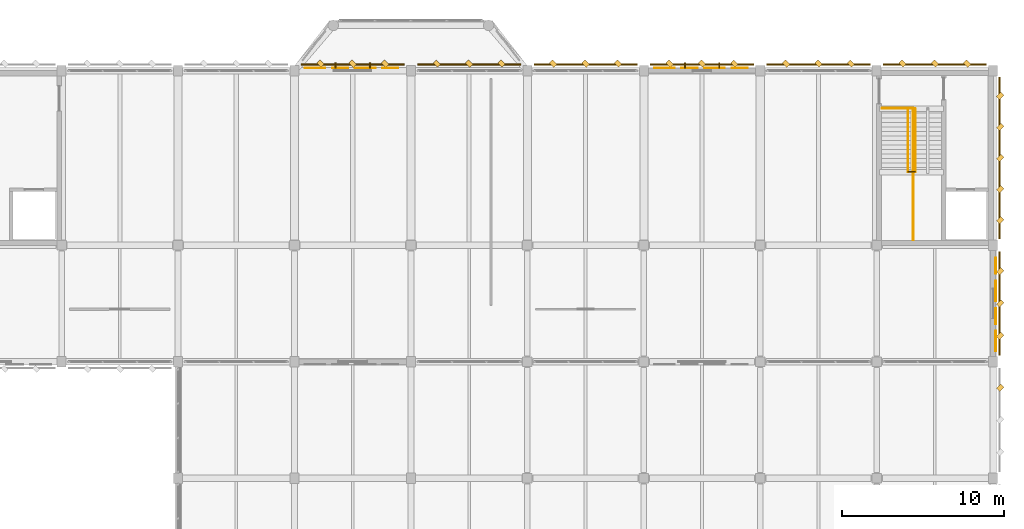
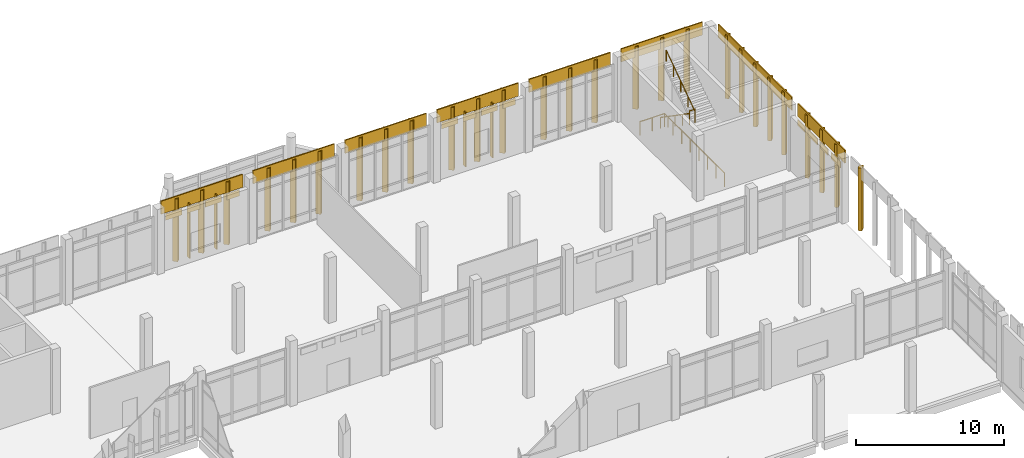
# One storey, part 180 of 180: 51 coverings, 4 railings.
"""IFC4 building model written with IfcOpenShell, lengths in metres."""

from ifc_helpers import new_model, si_unit, direction, frame, origin, origin_2d, place, context, subcontext, project, spatial, rectangle, circle, extrude, material, layer, layer_set, type_object, element, save


model = new_model("IFC4")

# Units and contexts
model_context = context("Model", 3, precision=1e-05, world=origin(), true_north=direction((0.0, 1.0)))
body_context = subcontext(model_context, "Body", "Model", "MODEL_VIEW")
ifc_project = project(units=[si_unit("LENGTHUNIT", "METRE"), si_unit("AREAUNIT", "SQUARE_METRE"), si_unit("VOLUMEUNIT", "CUBIC_METRE"), si_unit("PLANEANGLEUNIT", "RADIAN"), si_unit("MASSUNIT", "GRAM", prefix="KILO")], contexts=[model_context])

# Site, building, storey
site_placement = place(None, origin())
site = spatial("IfcSite", under=ifc_project, at=site_placement, CompositionType="ELEMENT")
building_placement = place(site_placement, origin())
building = spatial("IfcBuilding", under=site, at=building_placement, Name="Lusvemor Sports Hall", CompositionType="ELEMENT")
storey_placement = place(building_placement, frame((0.0, 0.0, 5.39990234375)))
storey = spatial("IfcBuildingStorey", under=building, at=storey_placement, Name="L01", CompositionType="ELEMENT", Elevation=5.39990234375)

# Coverings
ifc_material_1 = material(Name="Emerald polychrome glazed ceramic cladding on Concrete C40/50 backing", Category="concrete")
ifc_layer_1 = layer(ifc_material_1, 0.0458984375)
ifc_layer_set_1 = layer_set([ifc_layer_1], Name="Emerald polychrome glazed ceramic cladding on Concrete C40/50 backing")
covering_type_1 = type_object("IfcCoveringType", Name="CLAD_WAVE_EMERALD", PredefinedType="CLADDING", material=ifc_layer_set_1)
for number, where, z_axis, x_axis, name in (
    (1, (127.27490234375, 115.365478515625, 3.92529296875), (0.0, 0.0, 1.0), (1.0, 0.0, 0.0), "Art Nouveau Patterned Cladding PS-EW-L01-N-1-13-1"),
    (2, (130.375, 115.365478515625, 3.92529296875), (0.0, 0.0, 1.0), (1.0, 0.0, 0.0), "Art Nouveau Patterned Cladding PS-EW-L01-N-1-13-3"),
    (3, (148.875, 115.365478515625, 3.92529296875), (0.0, 0.0, 1.0), (1.0, 0.0, 0.0), "Art Nouveau Patterned Cladding PS-EW-L01-N-1-16-1"),
    (4, (151.97509765625, 115.365478515625, 3.92529296875), (0.0, 0.0, 1.0), (1.0, 0.0, 0.0), "Art Nouveau Patterned Cladding PS-EW-L01-N-1-16-3"),
):
    element("IfcCovering", number, at=place(storey_placement, frame(where, z_axis=z_axis, x_axis=x_axis)), inside=storey, type_object=covering_type_1, Name=name, PredefinedType="CLADDING", context=body_context, shape_type="SweptSolid", body=[
        extrude(rectangle(XDim=1.27099609375, YDim=0.0458984375, at=origin_2d()), origin(), (0.0, 0.0, 1.0), 0.510009765625),
    ])
for number, where, z_axis, x_axis, name in (
    (5, (169.365478515625, 98.47509765625, 3.92529296875), (0.0, 0.0, 1.0), (1.0, 0.0, 0.0), "Art Nouveau Patterned Cladding PS-EW-L01-E-2-0-1"),
    (6, (169.365478515625, 101.574951171875, 3.92529296875), (0.0, 0.0, 1.0), (1.0, 0.0, 0.0), "Art Nouveau Patterned Cladding PS-EW-L01-E-2-0-3"),
):
    element("IfcCovering", number, at=place(storey_placement, frame(where, z_axis=z_axis, x_axis=x_axis)), inside=storey, type_object=covering_type_1, Name=name, PredefinedType="CLADDING", context=body_context, shape_type="SweptSolid", body=[
        extrude(rectangle(XDim=0.0458984375, YDim=1.27099609375, at=origin_2d()), origin(), (0.0, 0.0, 1.0), 0.510009765625),
    ])
for number, where, z_axis, x_axis, name in (
    (7, (169.639892578125, 100.800048828125, 0.10009765625), (0.0, 0.0, 1.0), (0.707106781187, 0.707106781187, 0.0), "Patterned Diamond Cladding Rib 464"),
    (8, (169.639892578125, 107.8798828125, 0.10009765625), (0.0, 0.0, 1.0), (0.707106781187, 0.707106781187, 0.0), "Patterned Diamond Cladding Rib 478"),
    (9, (169.639892578125, 111.719970703125, 0.10009765625), (0.0, 0.0, 1.0), (0.707106781187, 0.707106781187, 0.0), "Patterned Diamond Cladding Rib 480"),
):
    element("IfcCovering", number, at=place(storey_placement, frame(where, z_axis=z_axis, x_axis=x_axis)), inside=storey, type_object=covering_type_1, Name=name, PredefinedType="CLADDING", context=body_context, shape_type="SweptSolid", body=[
        extrude(rectangle(XDim=0.3798828125, YDim=0.280029296875, at=origin_2d()), origin(), (0.0, 0.0, 1.0), 5.199951171875),
    ])
for number, where, z_axis, x_axis, name in (
    (10, (129.60009765625, 115.639892578125, 0.10009765625), (0.0, 0.0, 1.0), (0.707106781187, 0.707106781187, 0.0), "Patterned Diamond Cladding Rib 828"),
    (11, (136.800048828125, 115.639892578125, 0.10009765625), (0.0, 0.0, 1.0), (0.707106781187, 0.707106781187, 0.0), "Patterned Diamond Cladding Rib 840"),
    (12, (144.0, 115.639892578125, 0.10009765625), (0.0, 0.0, 1.0), (0.707106781187, 0.707106781187, 0.0), "Patterned Diamond Cladding Rib 852"),
    (13, (151.199951171875, 115.639892578125, 0.10009765625), (0.0, 0.0, 1.0), (0.707106781187, 0.707106781187, 0.0), "Patterned Diamond Cladding Rib 864"),
    (14, (158.39990234375, 115.639892578125, 0.10009765625), (0.0, 0.0, 1.0), (0.707106781187, 0.707106781187, 0.0), "Patterned Diamond Cladding Rib 876"),
    (15, (165.60009765625, 115.639892578125, 0.10009765625), (0.0, 0.0, 1.0), (0.707106781187, 0.707106781187, 0.0), "Patterned Diamond Cladding Rib 888"),
):
    element("IfcCovering", number, at=place(storey_placement, frame(where, z_axis=z_axis, x_axis=x_axis)), inside=storey, type_object=covering_type_1, Name=name, PredefinedType="CLADDING", context=body_context, shape_type="SweptSolid", body=[
        extrude(rectangle(XDim=0.280029296875, YDim=0.3798828125, at=origin_2d()), origin(), (0.0, 0.0, 1.0), 5.199951171875),
    ])
ifc_material_2 = material(Name="Warm terracotta Art Nouveau ceramic cladding on Concrete C40/50 backing", Category="masonry")
ifc_layer_2 = layer(ifc_material_2, 0.0380859375)
ifc_layer_set_2 = layer_set([ifc_layer_2], Name="Warm terracotta Art Nouveau ceramic cladding on Concrete C40/50 backing")
covering_type_2 = type_object("IfcCoveringType", Name="CLAD_WAVE_OCHRE", PredefinedType="CLADDING", material=ifc_layer_set_2)
for number, where, z_axis, x_axis, name in (
    (16, (128.824951171875, 115.361572265625, 3.92529296875), (0.0, 0.0, 1.0), (1.0, 0.0, 0.0), "Art Nouveau Patterned Cladding PS-EW-L01-N-1-13-2"),
    (17, (131.925048828125, 115.361572265625, 3.92529296875), (0.0, 0.0, 1.0), (1.0, 0.0, 0.0), "Art Nouveau Patterned Cladding PS-EW-L01-N-1-13-4"),
    (18, (150.425048828125, 115.361572265625, 3.92529296875), (0.0, 0.0, 1.0), (1.0, 0.0, 0.0), "Art Nouveau Patterned Cladding PS-EW-L01-N-1-16-2"),
    (19, (153.52490234375, 115.361572265625, 3.92529296875), (0.0, 0.0, 1.0), (1.0, 0.0, 0.0), "Art Nouveau Patterned Cladding PS-EW-L01-N-1-16-4"),
):
    element("IfcCovering", number, at=place(storey_placement, frame(where, z_axis=z_axis, x_axis=x_axis)), inside=storey, type_object=covering_type_2, Name=name, PredefinedType="CLADDING", context=body_context, shape_type="SweptSolid", body=[
        extrude(rectangle(XDim=0.991943359375, YDim=0.0380859375, at=origin_2d()), origin(), (0.0, 0.0, 1.0), 0.510009765625),
    ])
for number, where, z_axis, x_axis, name in (
    (20, (169.361572265625, 100.02490234375, 3.92529296875), (0.0, 0.0, 1.0), (1.0, 0.0, 0.0), "Art Nouveau Patterned Cladding PS-EW-L01-E-2-0-2"),
    (21, (169.361572265625, 103.125, 3.92529296875), (0.0, 0.0, 1.0), (1.0, 0.0, 0.0), "Art Nouveau Patterned Cladding PS-EW-L01-E-2-0-4"),
):
    element("IfcCovering", number, at=place(storey_placement, frame(where, z_axis=z_axis, x_axis=x_axis)), inside=storey, type_object=covering_type_2, Name=name, PredefinedType="CLADDING", context=body_context, shape_type="SweptSolid", body=[
        extrude(rectangle(XDim=0.0380859375, YDim=0.991943359375, at=origin_2d()), origin(), (0.0, 0.0, 1.0), 0.510009765625),
    ])
covering_1_placement = place(storey_placement, frame((169.590087890625, 100.800048828125, 4.380126953125), z_axis=(0.0, 0.0, 1.0), x_axis=(1.0, 0.0, 0.0)))
element("IfcCovering", 22, at=covering_1_placement, inside=storey, type_object=covering_type_2, Name="Art Nouveau Spandrel Cornice 462", PredefinedType="CLADDING", context=body_context, shape_type="SweptSolid", body=[
    extrude(rectangle(XDim=0.090087890625, YDim=6.3798828125, at=origin_2d()), origin(), (0.0, 0.0, 1.0), 1.080078125),
])
covering_2_placement = place(storey_placement, frame((169.590087890625, 109.800048828125, 4.380126953125), z_axis=(0.0, 0.0, 1.0), x_axis=(1.0, 0.0, 0.0)))
element("IfcCovering", 23, at=covering_2_placement, inside=storey, type_object=covering_type_2, Name="Art Nouveau Spandrel Cornice 476", PredefinedType="CLADDING", context=body_context, shape_type="SweptSolid", body=[
    extrude(rectangle(XDim=0.090087890625, YDim=9.97998046875, at=origin_2d()), origin(), (0.0, 0.0, 1.0), 1.080078125),
])
for number, where, z_axis, x_axis, name in (
    (24, (129.60009765625, 115.590087890625, 4.380126953125), (0.0, 0.0, 1.0), (1.0, 0.0, 0.0), "Art Nouveau Spandrel Cornice 826"),
    (25, (136.800048828125, 115.590087890625, 4.380126953125), (0.0, 0.0, 1.0), (1.0, 0.0, 0.0), "Art Nouveau Spandrel Cornice 838"),
    (26, (144.0, 115.590087890625, 4.380126953125), (0.0, 0.0, 1.0), (1.0, 0.0, 0.0), "Art Nouveau Spandrel Cornice 850"),
    (27, (151.199951171875, 115.590087890625, 4.380126953125), (0.0, 0.0, 1.0), (1.0, 0.0, 0.0), "Art Nouveau Spandrel Cornice 862"),
    (28, (158.39990234375, 115.590087890625, 4.380126953125), (0.0, 0.0, 1.0), (1.0, 0.0, 0.0), "Art Nouveau Spandrel Cornice 874"),
    (29, (165.60009765625, 115.590087890625, 4.380126953125), (0.0, 0.0, 1.0), (1.0, 0.0, 0.0), "Art Nouveau Spandrel Cornice 886"),
):
    element("IfcCovering", number, at=place(storey_placement, frame(where, z_axis=z_axis, x_axis=x_axis)), inside=storey, type_object=covering_type_2, Name=name, PredefinedType="CLADDING", context=body_context, shape_type="SweptSolid", body=[
        extrude(rectangle(XDim=6.3798828125, YDim=0.090087890625, at=origin_2d()), origin(), (0.0, 0.0, 1.0), 1.080078125),
    ])
ifc_material_3 = material(Name="Emerald polychrome glazed ceramic cladding on Concrete C40/50 backing", Category="concrete")
ifc_layer_3 = layer(ifc_material_3, 0.35009765625)
ifc_layer_set_3 = layer_set([ifc_layer_3], Name="Emerald polychrome glazed ceramic cladding on Concrete C40/50 backing")
covering_type_3 = type_object("IfcCoveringType", Name="FIN_BRISE_CER_350", PredefinedType="MOLDING", material=ifc_layer_set_3)
for number, where, z_axis, x_axis, name in (
    (30, (128.5400390625, 115.527587890625, 0.10009765625), (0.0, 0.0, 1.0), (1.0, 0.0, 0.0), "Wing Brise-Soleil Fin L01-N-1-13-1"),
    (31, (130.659912109375, 115.527587890625, 0.10009765625), (0.0, 0.0, 1.0), (1.0, 0.0, 0.0), "Wing Brise-Soleil Fin L01-N-1-13-2"),
    (32, (150.139892578125, 115.527587890625, 0.10009765625), (0.0, 0.0, 1.0), (1.0, 0.0, 0.0), "Wing Brise-Soleil Fin L01-N-1-16-1"),
    (33, (152.260009765625, 115.527587890625, 0.10009765625), (0.0, 0.0, 1.0), (1.0, 0.0, 0.0), "Wing Brise-Soleil Fin L01-N-1-16-2"),
):
    element("IfcCovering", number, at=place(storey_placement, frame(where, z_axis=z_axis, x_axis=x_axis)), inside=storey, type_object=covering_type_3, Name=name, PredefinedType="MOLDING", context=body_context, shape_type="SweptSolid", body=[
        extrude(rectangle(XDim=0.080078125, YDim=0.35009765625, at=origin_2d()), origin(), (0.0, 0.0, 1.0), 4.52001953125),
    ])
ifc_material_4 = material(Name="Warm terracotta Art Nouveau ceramic cladding on Concrete C40/50 backing", Category="masonry")
ifc_layer_4 = layer(ifc_material_4, 0.449951171875)
ifc_layer_set_4 = layer_set([ifc_layer_4], Name="Warm terracotta Art Nouveau ceramic cladding on Concrete C40/50 backing")
covering_type_4 = type_object("IfcCoveringType", Name="FIN_BRISE_CER_450", PredefinedType="MOLDING", material=ifc_layer_set_4)
for number, where, z_axis, x_axis, name in (
    (34, (169.639892578125, 95.60009765625, 0.10009765625), (0.0, 0.0, 1.0), (0.707106781187, 0.707106781187, 0.0), "Patterned Diamond Cladding Rib 453"),
    (35, (169.639892578125, 98.800048828125, 0.10009765625), (0.0, 0.0, 1.0), (0.707106781187, 0.707106781187, 0.0), "Patterned Diamond Cladding Rib 463"),
    (36, (169.639892578125, 102.800048828125, 0.10009765625), (0.0, 0.0, 1.0), (0.707106781187, 0.707106781187, 0.0), "Patterned Diamond Cladding Rib 465"),
    (37, (169.639892578125, 105.9599609375, 0.10009765625), (0.0, 0.0, 1.0), (0.707106781187, 0.707106781187, 0.0), "Patterned Diamond Cladding Rib 477"),
    (38, (169.639892578125, 109.800048828125, 0.10009765625), (0.0, 0.0, 1.0), (0.707106781187, 0.707106781187, 0.0), "Patterned Diamond Cladding Rib 479"),
    (39, (169.639892578125, 113.639892578125, 0.10009765625), (0.0, 0.0, 1.0), (0.707106781187, 0.707106781187, 0.0), "Patterned Diamond Cladding Rib 481"),
):
    element("IfcCovering", number, at=place(storey_placement, frame(where, z_axis=z_axis, x_axis=x_axis)), inside=storey, type_object=covering_type_4, Name=name, PredefinedType="MOLDING", context=body_context, shape_type="SweptSolid", body=[
        extrude(rectangle(XDim=0.3798828125, YDim=0.280029296875, at=origin_2d()), origin(), (0.0, 0.0, 1.0), 5.199951171875),
    ])
for number, where, z_axis, x_axis, name in (
    (40, (127.60009765625, 115.639892578125, 0.10009765625), (0.0, 0.0, 1.0), (0.707106781187, 0.707106781187, 0.0), "Patterned Diamond Cladding Rib 827"),
    (41, (131.60009765625, 115.639892578125, 0.10009765625), (0.0, 0.0, 1.0), (0.707106781187, 0.707106781187, 0.0), "Patterned Diamond Cladding Rib 829"),
    (42, (134.800048828125, 115.639892578125, 0.10009765625), (0.0, 0.0, 1.0), (0.707106781187, 0.707106781187, 0.0), "Patterned Diamond Cladding Rib 839"),
    (43, (138.800048828125, 115.639892578125, 0.10009765625), (0.0, 0.0, 1.0), (0.707106781187, 0.707106781187, 0.0), "Patterned Diamond Cladding Rib 841"),
    (44, (142.0, 115.639892578125, 0.10009765625), (0.0, 0.0, 1.0), (0.707106781187, 0.707106781187, 0.0), "Patterned Diamond Cladding Rib 851"),
    (45, (146.0, 115.639892578125, 0.10009765625), (0.0, 0.0, 1.0), (0.707106781187, 0.707106781187, 0.0), "Patterned Diamond Cladding Rib 853"),
    (46, (149.199951171875, 115.639892578125, 0.10009765625), (0.0, 0.0, 1.0), (0.707106781187, 0.707106781187, 0.0), "Patterned Diamond Cladding Rib 863"),
    (47, (153.199951171875, 115.639892578125, 0.10009765625), (0.0, 0.0, 1.0), (0.707106781187, 0.707106781187, 0.0), "Patterned Diamond Cladding Rib 865"),
    (48, (156.39990234375, 115.639892578125, 0.10009765625), (0.0, 0.0, 1.0), (0.707106781187, 0.707106781187, 0.0), "Patterned Diamond Cladding Rib 875"),
    (49, (160.39990234375, 115.639892578125, 0.10009765625), (0.0, 0.0, 1.0), (0.707106781187, 0.707106781187, 0.0), "Patterned Diamond Cladding Rib 877"),
    (50, (163.60009765625, 115.639892578125, 0.10009765625), (0.0, 0.0, 1.0), (0.707106781187, 0.707106781187, 0.0), "Patterned Diamond Cladding Rib 887"),
    (51, (167.60009765625, 115.639892578125, 0.10009765625), (0.0, 0.0, 1.0), (0.707106781187, 0.707106781187, 0.0), "Patterned Diamond Cladding Rib 889"),
):
    element("IfcCovering", number, at=place(storey_placement, frame(where, z_axis=z_axis, x_axis=x_axis)), inside=storey, type_object=covering_type_4, Name=name, PredefinedType="MOLDING", context=body_context, shape_type="SweptSolid", body=[
        extrude(rectangle(XDim=0.280029296875, YDim=0.3798828125, at=origin_2d()), origin(), (0.0, 0.0, 1.0), 5.199951171875),
    ])

# Railings
ifc_material_5 = material(Name="Bronze-finished wrought-steel Art Nouveau balustrade", Category="steel")
railing_type_1 = type_object("IfcRailingType", Name="RAIL_HANDRAIL_092", PredefinedType="HANDRAIL", material=ifc_material_5)
railing_1_placement = place(storey_placement, frame((163.93994140625, 112.85009765625, 0.0)))
element("IfcRailing", 52, at=railing_1_placement, inside=storey, type_object=railing_type_1, Name="Stair STR-C5-L01 Handrail F1", PredefinedType="HANDRAIL", context=body_context, shape_type="SweptSolid", body=[
    extrude(circle(Radius=0.02392578125, at=origin_2d()), frame((0.0, 0.0, 0.89599609375), z_axis=(0.0, -0.82354327477, 0.567253448276), x_axis=(1.0, 0.0, 0.0)), (0.0, 0.0, 1.0), 4.760009765625),
    extrude(circle(Radius=0.02099609375, at=origin_2d()), origin(), (0.0, 0.0, 1.0), 0.871826171875),
    extrude(circle(Radius=0.02099609375, at=origin_2d()), frame((0.0, -0.97998046875, 0.675048828125)), (0.0, 0.0, 1.0), 0.871826171875),
    extrude(circle(Radius=0.02099609375, at=origin_2d()), frame((0.0, -1.9599609375, 1.35009765625)), (0.0, 0.0, 1.0), 0.871826171875),
    extrude(circle(Radius=0.02099609375, at=origin_2d()), frame((0.0, -2.940185546875, 2.025146484375)), (0.0, 0.0, 1.0), 0.871826171875),
    extrude(circle(Radius=0.02099609375, at=origin_2d()), frame((0.0, -3.920166015625, 2.7001953125)), (0.0, 0.0, 1.0), 0.871826171875),
])
railing_2_placement = place(storey_placement, frame((164.3798828125, 108.929931640625, 2.7001953125)))
element("IfcRailing", 53, at=railing_2_placement, inside=storey, type_object=railing_type_1, Name="Stair STR-C5-L01 Handrail F2", PredefinedType="HANDRAIL", context=body_context, shape_type="SweptSolid", body=[
    extrude(circle(Radius=0.02392578125, at=origin_2d()), frame((0.0, 0.0, 0.89599609375), z_axis=(0.0, 0.823567234665, 0.567218661528), x_axis=(-1.0, 0.0, 0.0)), (0.0, 0.0, 1.0), 4.760009765625),
    extrude(circle(Radius=0.02099609375, at=origin_2d()), origin(), (0.0, 0.0, 1.0), 0.871826171875),
    extrude(circle(Radius=0.02099609375, at=origin_2d()), frame((0.0, 0.97998046875, 0.675048828125)), (0.0, 0.0, 1.0), 0.871826171875),
    extrude(circle(Radius=0.02099609375, at=origin_2d()), frame((0.0, 1.9599609375, 1.35009765625)), (0.0, 0.0, 1.0), 0.871826171875),
    extrude(circle(Radius=0.02099609375, at=origin_2d()), frame((0.0, 2.940185546875, 2.02490234375)), (0.0, 0.0, 1.0), 0.871826171875),
    extrude(circle(Radius=0.02099609375, at=origin_2d()), frame((0.0, 3.920166015625, 2.699951171875)), (0.0, 0.0, 1.0), 0.871826171875),
])
ifc_material_6 = material(Name="Bronze-finished wrought-steel Art Nouveau balustrade", Category="steel")
railing_type_2 = type_object("IfcRailingType", Name="RAIL_STAIR_GUARD_112", PredefinedType="GUARDRAIL", material=ifc_material_6)
railing_3_placement = place(storey_placement, frame((162.340087890625, 112.8701171875, 0.0)))
element("IfcRailing", 54, at=railing_3_placement, inside=storey, type_object=railing_type_2, Name="Stairwell C5 Top Guard (L01)", PredefinedType="GUARDRAIL", context=body_context, shape_type="SweptSolid", body=[
    extrude(circle(Radius=0.02392578125, at=origin_2d()), frame((0.0, 0.0, 1.09619140625), z_axis=(1.0, 0.0, 0.0), x_axis=(0.0, 1.0, 0.0)), (0.0, 0.0, 1.0), 1.919921875),
    extrude(circle(Radius=0.02392578125, at=origin_2d()), frame((1.919921875, 0.0, 1.09619140625), z_axis=(0.0, -1.0, 0.0), x_axis=(1.0, 0.0, 0.0)), (0.0, 0.0, 1.0), 8.130126953125),
    extrude(circle(Radius=0.02099609375, at=origin_2d()), origin(), (0.0, 0.0, 1.0), 1.072021484375),
    extrude(circle(Radius=0.02099609375, at=origin_2d()), frame((0.9599609375, 0.0, 0.0)), (0.0, 0.0, 1.0), 1.072021484375),
    extrude(circle(Radius=0.02099609375, at=origin_2d()), frame((1.919921875, 0.0, 0.0)), (0.0, 0.0, 1.0), 1.072021484375),
    extrude(circle(Radius=0.02099609375, at=origin_2d()), frame((1.919921875, -1.161376953125, 0.0)), (0.0, 0.0, 1.0), 1.072021484375),
    extrude(circle(Radius=0.02099609375, at=origin_2d()), frame((1.919921875, -2.322998046875, 0.0)), (0.0, 0.0, 1.0), 1.072021484375),
    extrude(circle(Radius=0.02099609375, at=origin_2d()), frame((1.919921875, -3.484375, 0.0)), (0.0, 0.0, 1.0), 1.072021484375),
    extrude(circle(Radius=0.02099609375, at=origin_2d()), frame((1.919921875, -4.645751953125, 0.0)), (0.0, 0.0, 1.0), 1.072021484375),
    extrude(circle(Radius=0.02099609375, at=origin_2d()), frame((1.919921875, -5.80712890625, 0.0)), (0.0, 0.0, 1.0), 1.072021484375),
    extrude(circle(Radius=0.02099609375, at=origin_2d()), frame((1.919921875, -6.96875, 0.0)), (0.0, 0.0, 1.0), 1.072021484375),
    extrude(circle(Radius=0.02099609375, at=origin_2d()), frame((1.919921875, -8.130126953125, 0.0)), (0.0, 0.0, 1.0), 1.072021484375),
])
railing_4_placement = place(storey_placement, frame((163.93994140625, 108.949951171875, 2.7001953125)))
element("IfcRailing", 55, at=railing_4_placement, inside=storey, type_object=railing_type_2, Name="Stair STR-C5-L01 Mid Well Guard", PredefinedType="GUARDRAIL", context=body_context, shape_type="SweptSolid", body=[
    extrude(circle(Radius=0.02392578125, at=origin_2d()), frame((0.0, 0.0, 1.09619140625), z_axis=(1.0, 0.0, 0.0), x_axis=(0.0, 1.0, 0.0)), (0.0, 0.0, 1.0), 0.43994140625),
    extrude(circle(Radius=0.02099609375, at=origin_2d()), origin(), (0.0, 0.0, 1.0), 1.072021484375),
    extrude(circle(Radius=0.02099609375, at=origin_2d()), frame((0.43994140625, 0.0, 0.0)), (0.0, 0.0, 1.0), 1.072021484375),
])

save(model, "model.ifc")
